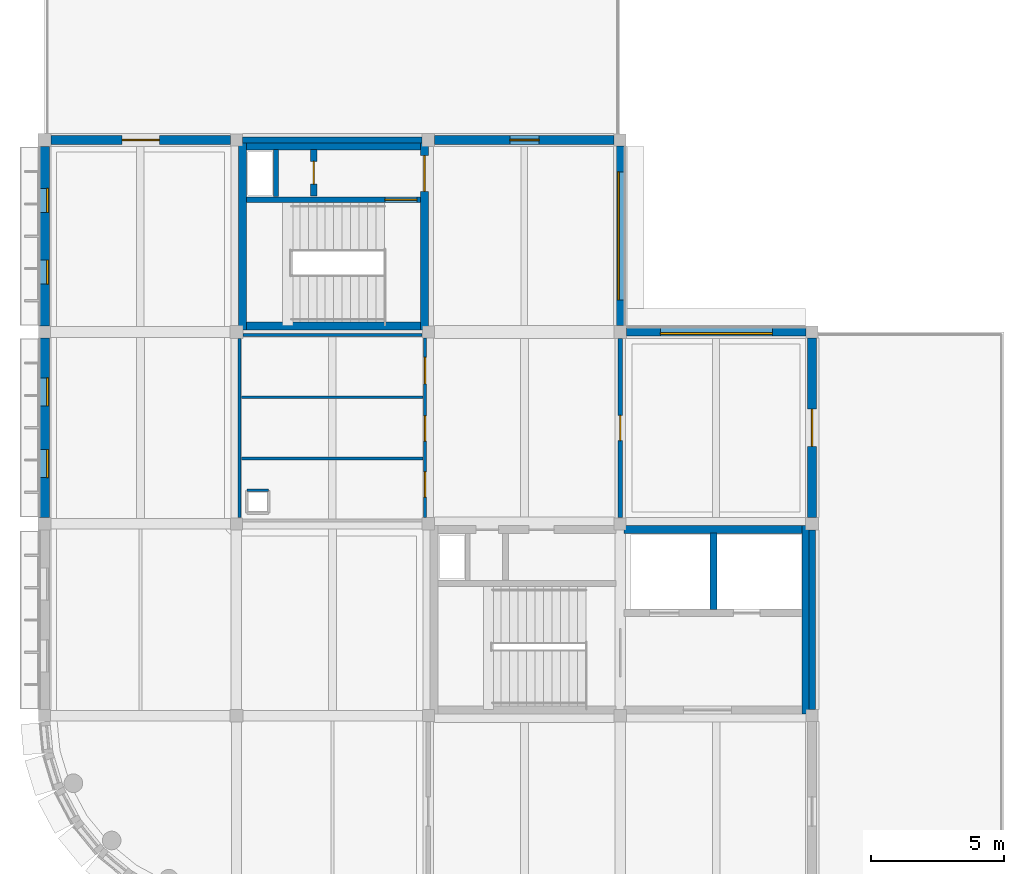
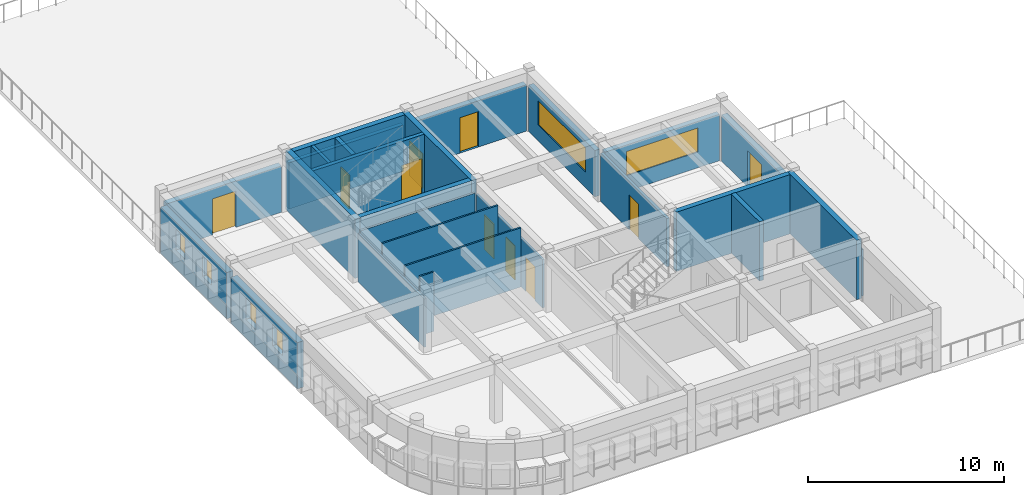
# One storey, part 4 of 7: 26 walls, 10 doors, 6 windows, 16 openings.
"""IFC4 building model written with IfcOpenShell, lengths in metres."""

import ifcopenshell
import ifcopenshell.guid

model = None  # the IFC model being written
_history = None  # IfcOwnerHistory: only IFC2X3 demands one
_inside = {}  # id of a spatial element -> (the spatial element, [elements in it])
_under = {}  # id of a project, library or spatial element -> (it, [spatial elements below it])
_declared = {}  # id of a project -> (the project, [libraries it declares])
_typed = {}  # id of a type object -> (the type object, [elements of that type])
_made_of = {}  # id of a material, layer set ... -> (it, [elements and type objects made of it])


def new_model(schema):
    """Start an empty IFC model of exactly this schema.

    Asked for "IFC4X3", IfcOpenShell would pick the latest addendum, in which some entities
    have other attributes; the version numbers below select the first issue.
    IFC2X3 requires an IfcOwnerHistory on every rooted entity: one is made here for all.
    """
    global model, _history
    if schema == "IFC4X3":
        model = ifcopenshell.file(schema_version=(4, 3, 0, 0))
    else:
        model = ifcopenshell.file(schema=schema)
    _inside.clear()
    _under.clear()
    _declared.clear()
    _typed.clear()
    _made_of.clear()
    _history = None
    if model.schema == "IFC2X3":
        org = make("IfcOrganization", Name="unknown")
        user = make(
            "IfcPersonAndOrganization",
            ThePerson=make("IfcPerson", FamilyName="unknown"),
            TheOrganization=org,
        )
        app = make(
            "IfcApplication",
            ApplicationDeveloper=org,
            Version="unknown",
            ApplicationFullName="unknown",
            ApplicationIdentifier="unknown",
        )
        _history = make(
            "IfcOwnerHistory",
            OwningUser=user,
            OwningApplication=app,
            ChangeAction="ADDED",
            CreationDate=0,
        )
    return model


def make(cls, **values):
    """One entity of the class cls with the attributes given. An attribute that is None is left unset."""
    return model.create_entity(
        cls, **{name: value for name, value in values.items() if value is not None}
    )


def rooted(cls, **values):
    """An entity with a GlobalId (a new one), such as an element, a storey or a relation."""
    return make(cls, GlobalId=ifcopenshell.guid.new(), OwnerHistory=_history, **values)


def si_unit(unit_type, name, prefix=None):
    """IfcSIUnit, for example si_unit("LENGTHUNIT", "METRE", prefix="MILLI")."""
    return make("IfcSIUnit", UnitType=unit_type, Prefix=prefix, Name=name)


def assignment(units):
    """IfcUnitAssignment: the units of a project."""
    return None if units is None else make("IfcUnitAssignment", Units=units)


def point(xyz):
    """IfcCartesianPoint."""
    return None if xyz is None else make("IfcCartesianPoint", Coordinates=xyz)


def direction(xyz):
    """IfcDirection."""
    return None if xyz is None else make("IfcDirection", DirectionRatios=xyz)


def frame(location, z_axis=None, x_axis=None):
    """IfcAxis2Placement3D, a coordinate frame: its origin and axes. An axis left out is left unset."""
    return make(
        "IfcAxis2Placement3D",
        Location=point(location),
        Axis=direction(z_axis),
        RefDirection=direction(x_axis),
    )


def frame_2d(location, x_axis=None):
    """IfcAxis2Placement2D, a coordinate frame in the plane: its origin and x axis."""
    return make(
        "IfcAxis2Placement2D", Location=point(location), RefDirection=direction(x_axis)
    )


def origin():
    """The frame at (0, 0, 0) with its axes left unset."""
    return frame((0.0, 0.0, 0.0))


def place(relative_to, where):
    """IfcLocalPlacement: puts the frame where relative to a parent placement (None: the world)."""
    return make(
        "IfcLocalPlacement", PlacementRelTo=relative_to, RelativePlacement=where
    )


def context(
    kind, dimensions, precision=None, world=None, true_north=None, identifier=None
):
    """IfcGeometricRepresentationContext, for example the 3D "Model" context."""
    return make(
        "IfcGeometricRepresentationContext",
        ContextIdentifier=identifier,
        ContextType=kind,
        CoordinateSpaceDimension=dimensions,
        Precision=precision,
        WorldCoordinateSystem=world,
        TrueNorth=true_north,
    )


def subcontext(parent, identifier, kind, view, scale=None):
    """IfcGeometricRepresentationSubContext, for example "Body" below "Model"."""
    return make(
        "IfcGeometricRepresentationSubContext",
        ContextIdentifier=identifier,
        ContextType=kind,
        ParentContext=parent,
        TargetScale=scale,
        TargetView=view,
    )


def project(units=None, contexts=None):
    """IfcProject with its units and contexts."""
    return rooted(
        "IfcProject",
        Name="project",
        RepresentationContexts=contexts,
        UnitsInContext=assignment(units),
    )


def spatial(cls, under=None, at=None, **own):
    """A site, building, storey or space (cls), placed at a placement, below another one or the project."""
    s = rooted(cls, ObjectPlacement=at, **own)
    if under is not None:
        _under.setdefault(under.id(), (under, []))[1].append(s)
    return s


def profile(cls, at=None, kind="AREA", **sizes):
    """A parametric profile (cls). Its sizes go by their IFC names, for example OverallWidth=200.0."""
    return make(cls, ProfileType=kind, Position=at, **sizes)


def rectangle(**sizes):
    """IfcRectangleProfileDef."""
    return profile("IfcRectangleProfileDef", **sizes)


def extrude(swept, where, along, depth):
    """IfcExtrudedAreaSolid: the profile swept, set in the frame where, extruded along a direction by depth."""
    return make(
        "IfcExtrudedAreaSolid",
        SweptArea=swept,
        Position=where,
        ExtrudedDirection=direction(along),
        Depth=depth,
    )


def shape(context_of_items, identifier, shape_type, items):
    """IfcShapeRepresentation: the items that make up one representation, for example the "Body"."""
    return make(
        "IfcShapeRepresentation",
        ContextOfItems=context_of_items,
        RepresentationIdentifier=identifier,
        RepresentationType=shape_type,
        Items=items,
    )


def material(Name=None, Category=None):
    """IfcMaterial."""
    return make("IfcMaterial", Name=Name, Category=Category)


def layer(
    of_material, thickness, ventilated=None, Name=None, Category=None, Priority=None
):
    """IfcMaterialLayer: one layer of a wall or slab, of a material (None: an air gap)."""
    return make(
        "IfcMaterialLayer",
        Material=of_material,
        LayerThickness=thickness,
        IsVentilated=ventilated,
        Name=Name,
        Category=Category,
        Priority=Priority,
    )


def layer_set(layers, Name=None):
    """IfcMaterialLayerSet."""
    return make("IfcMaterialLayerSet", MaterialLayers=layers, LayerSetName=Name)


def made_of(thing, what):
    """Note that an element or type object is made of a material, layer set ...; save() writes the relation."""
    if what is not None:
        _made_of.setdefault(what.id(), (what, []))[1].append(thing)
    return thing


def type_object(cls, material=None, **own):
    """A type object (cls), such as IfcWallType, which elements share."""
    return made_of(rooted(cls, **own), material)


def element(
    cls,
    number,
    at=None,
    inside=None,
    cuts=None,
    type_object=None,
    material=None,
    context=None,
    identifier="Body",
    shape_type=None,
    held_by="IfcProductDefinitionShape",
    body=None,
    shapes=None,
    **own,
):
    """One element of the class cls, such as IfcWall. Its Tag is "e" and its number.

    at: its placement. inside: the storey or other place that contains it. cuts: it is an
    opening in that element (IfcRelVoidsElement). A single representation is given by context,
    identifier, shape_type and body (its items); several are given by shapes. held_by: the class
    of the entity that holds the representations. save() writes the other relations.
    """
    e = rooted(cls, Tag="e%d" % number, ObjectPlacement=at, **own)
    if body is not None:
        shapes = [shape(context, identifier, shape_type, body)]
    if shapes is not None:
        e.Representation = make(held_by, Representations=shapes)
    if inside is not None:
        _inside.setdefault(inside.id(), (inside, []))[1].append(e)
    if cuts is not None:
        rooted(
            "IfcRelVoidsElement", RelatingBuildingElement=cuts, RelatedOpeningElement=e
        )
    if type_object is not None:
        _typed.setdefault(type_object.id(), (type_object, []))[1].append(e)
    return made_of(e, material)


def fill(opening, filler):
    """IfcRelFillsElement: the door or window that sits in an opening."""
    return rooted(
        "IfcRelFillsElement",
        RelatingOpeningElement=opening,
        RelatedBuildingElement=filler,
    )


def aggregate(whole, parts):
    """IfcRelAggregates: a whole, such as a stair, and the parts it consists of."""
    return rooted("IfcRelAggregates", RelatingObject=whole, RelatedObjects=parts)


def save(model, path):
    """Write the relations noted so far, then the file.

    IfcRelAggregates (storeys below a building ...), IfcRelContainedInSpatialStructure (elements
    in a storey), IfcRelDefinesByType, IfcRelAssociatesMaterial and IfcRelDeclares: one each for
    every whole, place, type object, material and project.
    """
    for whole, parts in _under.values():
        aggregate(whole, parts)
    for where, things in _inside.values():
        rooted(
            "IfcRelContainedInSpatialStructure",
            RelatedElements=things,
            RelatingStructure=where,
        )
    for kind, things in _typed.values():
        rooted("IfcRelDefinesByType", RelatedObjects=things, RelatingType=kind)
    for what, things in _made_of.values():
        rooted("IfcRelAssociatesMaterial", RelatedObjects=things, RelatingMaterial=what)
    for by, libraries in _declared.values():
        rooted("IfcRelDeclares", RelatingContext=by, RelatedDefinitions=libraries)
    model.write(path)


model = new_model("IFC4")

# Units and contexts
model_context = context("Model", 3, precision=1e-05, world=origin(), true_north=direction((0.0, 1.0)))
body_context = subcontext(model_context, "Body", "Model", "MODEL_VIEW")
ifc_project = project(units=[si_unit("LENGTHUNIT", "METRE"), si_unit("AREAUNIT", "SQUARE_METRE"), si_unit("VOLUMEUNIT", "CUBIC_METRE"), si_unit("PLANEANGLEUNIT", "RADIAN"), si_unit("MASSUNIT", "GRAM", prefix="KILO")], contexts=[model_context])

# Site, building, storey
site_placement = place(None, origin())
site = spatial("IfcSite", under=ifc_project, at=site_placement, CompositionType="ELEMENT")
building_placement = place(site_placement, origin())
building = spatial("IfcBuilding", under=site, at=building_placement, Name="Thalmaran Polytechnic", CompositionType="ELEMENT")
storey_placement = place(building_placement, frame((0.0, 0.0, 30.60009765625)))
storey = spatial("IfcBuildingStorey", under=building, at=storey_placement, Name="L07", CompositionType="ELEMENT", Elevation=30.60009765625)

# Wall, openings, windows
ifc_material_1 = material(Name="Precast concrete C40/50", Category="concrete")
ifc_layer_1 = layer(ifc_material_1, 0.360107421875, Name="Precast concrete C40/50")
ifc_layer_set_1 = layer_set([ifc_layer_1], Name="Precast concrete C40/50")
wall_type_1 = type_object("IfcWallType", Name="WL-EW01", PredefinedType="STANDARD", material=ifc_layer_set_1)
wall_1_placement = place(storey_placement, frame((0.0, 14.639892578125, 0.0), z_axis=(0.0, 0.0, 1.0), x_axis=(0.0, 1.0, 0.0)))
wall_1 = element("IfcWall", 1, at=wall_1_placement, inside=storey, type_object=wall_type_1, Name="Exterior Precast Facade Wall L07-007", PredefinedType="STANDARD", context=body_context, shape_type="SweptSolid", body=[
    extrude(rectangle(XDim=6.735107421875, YDim=0.360107421875, at=frame_2d((3.36767578125, 0.0))), origin(), (0.0, 0.0, 1.0), 2.8798828125),
])
opening_1_placement = place(wall_1_placement, frame((1.49560546875, 0.0, 1.14990234375)))
opening_1 = element("IfcOpeningElement", 2, at=opening_1_placement, cuts=wall_1, Name="Opening PW12", PredefinedType="OPENING", context=body_context, shape_type="SweptSolid", body=[
    extrude(rectangle(XDim=1.050048828125, YDim=1.35009765625, at=frame_2d((0.52490234375, 0.675048828125))), frame((0.0, 0.18994140625, 0.0), z_axis=(0.0, -1.0, 0.0), x_axis=(1.0, 0.0, 0.0)), (0.0, 0.0, 1.0), 0.380126953125),
])
opening_2_placement = place(wall_1_placement, frame((4.189453125, 0.0, 1.14990234375)))
opening_2 = element("IfcOpeningElement", 3, at=opening_2_placement, cuts=wall_1, Name="Opening PW12", PredefinedType="OPENING", context=body_context, shape_type="SweptSolid", body=[
    extrude(rectangle(XDim=1.050048828125, YDim=1.35009765625, at=frame_2d((0.52490234375, 0.675048828125))), frame((0.0, 0.18994140625, 0.0), z_axis=(0.0, -1.0, 0.0), x_axis=(1.0, 0.0, 0.0)), (0.0, 0.0, 1.0), 0.380126953125),
])
ifc_material_2 = material(Name="Thermally broken aluminium and double low-E glass", Category="aluminium")
window_type_1 = type_object("IfcWindowType", Name="WN-PW02", PartitioningType="SINGLE_PANEL", PredefinedType="WINDOW", material=ifc_material_2)
window_1_placement = place(opening_1_placement, origin())
window_1 = element("IfcWindow", 4, at=window_1_placement, inside=storey, type_object=window_type_1, Name="Deep-Set Solar-Screened Window W-0771", OverallHeight=1.35009765625, OverallWidth=1.050048828125, PartitioningType="SINGLE_PANEL", PredefinedType="WINDOW", context=body_context, shape_type="SweptSolid", body=[
    extrude(rectangle(XDim=1.050048828125, YDim=1.35009765625, at=frame_2d((0.52490234375, 0.675048828125))), frame((0.0, -0.080078125, 0.0), z_axis=(0.0, -1.0, 0.0), x_axis=(1.0, 0.0, 0.0)), (0.0, 0.0, 1.0), 0.06005859375),
])
fill(opening_1, window_1)
window_2_placement = place(opening_2_placement, origin())
window_2 = element("IfcWindow", 5, at=window_2_placement, inside=storey, type_object=window_type_1, Name="Deep-Set Solar-Screened Window W-0772", OverallHeight=1.35009765625, OverallWidth=1.050048828125, PartitioningType="SINGLE_PANEL", PredefinedType="WINDOW", context=body_context, shape_type="SweptSolid", body=[
    extrude(rectangle(XDim=1.050048828125, YDim=1.35009765625, at=frame_2d((0.52490234375, 0.675048828125))), frame((0.0, -0.080078125, 0.0), z_axis=(0.0, -1.0, 0.0), x_axis=(1.0, 0.0, 0.0)), (0.0, 0.0, 1.0), 0.06005859375),
])
fill(opening_2, window_2)

wall_2_placement = place(storey_placement, frame((0.0, 21.824951171875, 0.0), z_axis=(0.0, 0.0, 1.0), x_axis=(0.0, 1.0, 0.0)))
wall_2 = element("IfcWall", 6, at=wall_2_placement, inside=storey, type_object=wall_type_1, Name="Exterior Precast Facade Wall L07-008", PredefinedType="STANDARD", context=body_context, shape_type="SweptSolid", body=[
    extrude(rectangle(XDim=6.735107421875, YDim=0.360107421875, at=frame_2d((3.36767578125, 0.0))), origin(), (0.0, 0.0, 1.0), 2.8798828125),
])
opening_3_placement = place(wall_2_placement, frame((1.570556640625, 0.0, 1.14990234375)))
opening_3 = element("IfcOpeningElement", 7, at=opening_3_placement, cuts=wall_2, Name="Opening PW13", PredefinedType="OPENING", context=body_context, shape_type="SweptSolid", body=[
    extrude(rectangle(XDim=0.89990234375, YDim=1.300048828125, at=frame_2d((0.449951171875, 0.64990234375))), frame((0.0, 0.18994140625, 0.0), z_axis=(0.0, -1.0, 0.0), x_axis=(1.0, 0.0, 0.0)), (0.0, 0.0, 1.0), 0.380126953125),
])
opening_4_placement = place(wall_2_placement, frame((4.264404296875, 0.0, 1.14990234375)))
opening_4 = element("IfcOpeningElement", 8, at=opening_4_placement, cuts=wall_2, Name="Opening PW13", PredefinedType="OPENING", context=body_context, shape_type="SweptSolid", body=[
    extrude(rectangle(XDim=0.89990234375, YDim=1.300048828125, at=frame_2d((0.449951171875, 0.64990234375))), frame((0.0, 0.18994140625, 0.0), z_axis=(0.0, -1.0, 0.0), x_axis=(1.0, 0.0, 0.0)), (0.0, 0.0, 1.0), 0.380126953125),
])
window_type_2 = type_object("IfcWindowType", Name="WN-PW03", PartitioningType="SINGLE_PANEL", PredefinedType="WINDOW", material=ifc_material_2)
window_3_placement = place(opening_3_placement, origin())
window_3 = element("IfcWindow", 9, at=window_3_placement, inside=storey, type_object=window_type_2, Name="Deep-Set Solar-Screened Window W-0773", OverallHeight=1.300048828125, OverallWidth=0.89990234375, PartitioningType="SINGLE_PANEL", PredefinedType="WINDOW", context=body_context, shape_type="SweptSolid", body=[
    extrude(rectangle(XDim=0.89990234375, YDim=1.300048828125, at=frame_2d((0.449951171875, 0.64990234375))), frame((0.0, -0.080078125, 0.0), z_axis=(0.0, -1.0, 0.0), x_axis=(1.0, 0.0, 0.0)), (0.0, 0.0, 1.0), 0.06005859375),
])
fill(opening_3, window_3)
window_4_placement = place(opening_4_placement, origin())
window_4 = element("IfcWindow", 10, at=window_4_placement, inside=storey, type_object=window_type_2, Name="Deep-Set Solar-Screened Window W-0774", OverallHeight=1.300048828125, OverallWidth=0.89990234375, PartitioningType="SINGLE_PANEL", PredefinedType="WINDOW", context=body_context, shape_type="SweptSolid", body=[
    extrude(rectangle(XDim=0.89990234375, YDim=1.300048828125, at=frame_2d((0.449951171875, 0.64990234375))), frame((0.0, -0.080078125, 0.0), z_axis=(0.0, -1.0, 0.0), x_axis=(1.0, 0.0, 0.0)), (0.0, 0.0, 1.0), 0.06005859375),
])
fill(opening_4, window_4)

# Wall, opening, door
ifc_layer_2 = layer(ifc_material_1, 0.330078125, Name="Precast concrete C40/50")
ifc_layer_set_2 = layer_set([ifc_layer_2], Name="Precast concrete C40/50")
wall_type_2 = type_object("IfcWallType", Name="WL-EW02", PredefinedType="STANDARD", material=ifc_layer_set_2)
wall_3_placement = place(storey_placement, frame((0.239990234375, 28.800048828125, 0.0), z_axis=(0.0, 0.0, 1.0), x_axis=(1.0, 0.0, 0.0)))
wall_3 = element("IfcWall", 11, at=wall_3_placement, inside=storey, type_object=wall_type_2, Name="Terrace Access Wall L07-009", PredefinedType="STANDARD", context=body_context, shape_type="SweptSolid", body=[
    extrude(rectangle(XDim=6.735107421875, YDim=0.330078125, at=frame_2d((3.36767578125, 0.0))), origin(), (0.0, 0.0, 1.0), 2.8798828125),
])
opening_5_placement = place(wall_3_placement, frame((2.66748046875, 0.0, 0.0)))
opening_5 = element("IfcOpeningElement", 12, at=opening_5_placement, cuts=wall_3, Name="Opening TD-021", PredefinedType="OPENING", context=body_context, shape_type="SweptSolid", body=[
    extrude(rectangle(XDim=1.39990234375, YDim=2.25, at=frame_2d((0.699951171875, 1.125))), frame((0.0, 0.175048828125, 0.0), z_axis=(0.0, -1.0, 0.0), x_axis=(1.0, 0.0, 0.0)), (0.0, 0.0, 1.0), 0.35009765625),
])
ifc_material_3 = material(Name="Anodised aluminium and safety glass", Category="aluminium")
door_type_1 = type_object("IfcDoorType", Name="DR-TD01", OperationType="NOTDEFINED", PredefinedType="DOOR", material=ifc_material_3)
door_1_placement = place(opening_5_placement, origin())
door_1 = element("IfcDoor", 13, at=door_1_placement, inside=storey, type_object=door_type_1, Name="Terrace Access Door TD-021", OperationType="SINGLE_SWING_LEFT", OverallHeight=2.25, OverallWidth=1.39990234375, PredefinedType="DOOR", context=body_context, shape_type="SweptSolid", body=[
    extrude(rectangle(XDim=1.39990234375, YDim=2.25, at=frame_2d((0.699951171875, 1.125))), frame((0.0, 0.02490234375, 0.0), z_axis=(0.0, -1.0, 0.0), x_axis=(1.0, 0.0, 0.0)), (0.0, 0.0, 1.0), 0.050048828125),
])
fill(opening_5, door_1)

wall_4_placement = place(storey_placement, frame((14.639892578125, 28.800048828125, 0.0), z_axis=(0.0, 0.0, 1.0), x_axis=(1.0, 0.0, 0.0)))
wall_4 = element("IfcWall", 14, at=wall_4_placement, inside=storey, type_object=wall_type_2, Name="Terrace Access Wall L07-011", PredefinedType="STANDARD", context=body_context, shape_type="SweptSolid", body=[
    extrude(rectangle(XDim=6.735107421875, YDim=0.330078125, at=frame_2d((3.36767578125, 0.0))), origin(), (0.0, 0.0, 1.0), 2.8798828125),
])
opening_6_placement = place(wall_4_placement, frame((2.8173828125, 0.0, 0.0)))
opening_6 = element("IfcOpeningElement", 15, at=opening_6_placement, cuts=wall_4, Name="Opening TD-022", PredefinedType="OPENING", context=body_context, shape_type="SweptSolid", body=[
    extrude(rectangle(XDim=1.10009765625, YDim=2.199951171875, at=frame_2d((0.550048828125, 1.10009765625))), frame((0.0, 0.175048828125, 0.0), z_axis=(0.0, -1.0, 0.0), x_axis=(1.0, 0.0, 0.0)), (0.0, 0.0, 1.0), 0.35009765625),
])
door_type_2 = type_object("IfcDoorType", Name="DR-TD02", OperationType="NOTDEFINED", PredefinedType="DOOR", material=ifc_material_3)
door_2_placement = place(opening_6_placement, origin())
door_2 = element("IfcDoor", 16, at=door_2_placement, inside=storey, type_object=door_type_2, Name="Terrace Access Door TD-022", OperationType="SINGLE_SWING_RIGHT", OverallHeight=2.199951171875, OverallWidth=1.10009765625, PredefinedType="DOOR", context=body_context, shape_type="SweptSolid", body=[
    extrude(rectangle(XDim=1.10009765625, YDim=2.199951171875, at=frame_2d((0.550048828125, 1.10009765625))), frame((0.0, 0.02490234375, 0.0), z_axis=(0.0, -1.0, 0.0), x_axis=(1.0, 0.0, 0.0)), (0.0, 0.0, 1.0), 0.050048828125),
])
fill(opening_6, door_2)

wall_5_placement = place(storey_placement, frame((28.800048828125, 21.375, 0.0), z_axis=(0.0, 0.0, 1.0), x_axis=(0.0, -1.0, 0.0)))
wall_5 = element("IfcWall", 17, at=wall_5_placement, inside=storey, type_object=wall_type_2, Name="Terrace Access Wall L07-014", PredefinedType="STANDARD", context=body_context, shape_type="SweptSolid", body=[
    extrude(rectangle(XDim=6.735107421875, YDim=0.330078125, at=frame_2d((3.36767578125, 0.0))), origin(), (0.0, 0.0, 1.0), 2.8798828125),
])
opening_7_placement = place(wall_5_placement, frame((2.66748046875, 0.0, 0.0)))
opening_7 = element("IfcOpeningElement", 18, at=opening_7_placement, cuts=wall_5, Name="Opening TD-023", PredefinedType="OPENING", context=body_context, shape_type="SweptSolid", body=[
    extrude(rectangle(XDim=1.39990234375, YDim=2.25, at=frame_2d((0.699951171875, 1.125))), frame((0.0, 0.175048828125, 0.0), z_axis=(0.0, -1.0, 0.0), x_axis=(1.0, 0.0, 0.0)), (0.0, 0.0, 1.0), 0.35009765625),
])
door_3_placement = place(opening_7_placement, origin())
door_3 = element("IfcDoor", 19, at=door_3_placement, inside=storey, type_object=door_type_1, Name="Terrace Access Door TD-023", OperationType="SINGLE_SWING_LEFT", OverallHeight=2.25, OverallWidth=1.39990234375, PredefinedType="DOOR", context=body_context, shape_type="SweptSolid", body=[
    extrude(rectangle(XDim=1.39990234375, YDim=2.25, at=frame_2d((0.699951171875, 1.125))), frame((0.0, 0.02490234375, 0.0), z_axis=(0.0, -1.0, 0.0), x_axis=(1.0, 0.0, 0.0)), (0.0, 0.0, 1.0), 0.050048828125),
])
fill(opening_7, door_3)

# Wall, opening, window
ifc_layer_3 = layer(ifc_material_1, 0.2900390625, Name="Precast concrete C40/50")
ifc_layer_set_3 = layer_set([ifc_layer_3], Name="Precast concrete C40/50")
wall_type_3 = type_object("IfcWallType", Name="WL-EW04", PredefinedType="STANDARD", material=ifc_layer_set_3)
wall_6_placement = place(storey_placement, frame((21.60009765625, 28.574951171875, 0.0), z_axis=(0.0, 0.0, 1.0), x_axis=(0.0, -1.0, 0.0)))
wall_6 = element("IfcWall", 20, at=wall_6_placement, inside=storey, type_object=wall_type_3, Name="Exterior Precast Facade Wall L07-012", PredefinedType="STANDARD", context=body_context, shape_type="SweptSolid", body=[
    extrude(rectangle(XDim=6.73486328125, YDim=0.2900390625, at=frame_2d((3.367431640625, 0.0))), origin(), (0.0, 0.0, 1.0), 2.8798828125),
])
opening_8_placement = place(wall_6_placement, frame((0.967529296875, 0.0, 0.97998046875)))
opening_8 = element("IfcOpeningElement", 21, at=opening_8_placement, cuts=wall_6, Name="Opening RW01", PredefinedType="OPENING", context=body_context, shape_type="SweptSolid", body=[
    extrude(rectangle(XDim=4.800048828125, YDim=1.5, at=frame_2d((2.39990234375, 0.75))), frame((0.0, 0.155029296875, 0.0), z_axis=(0.0, -1.0, 0.0), x_axis=(1.0, 0.0, 0.0)), (0.0, 0.0, 1.0), 0.31005859375),
])
window_type_3 = type_object("IfcWindowType", Name="WN-RW01", PartitioningType="TRIPLE_PANEL_HORIZONTAL", PredefinedType="WINDOW", material=ifc_material_2)
window_5_placement = place(opening_8_placement, origin())
window_5 = element("IfcWindow", 22, at=window_5_placement, inside=storey, type_object=window_type_3, Name="Streamline Ribbon Window W-0775", OverallHeight=1.5, OverallWidth=4.800048828125, PartitioningType="SINGLE_PANEL", PredefinedType="WINDOW", context=body_context, shape_type="SweptSolid", body=[
    extrude(rectangle(XDim=4.800048828125, YDim=1.5, at=frame_2d((2.39990234375, 0.75))), frame((0.0, -0.030029296875, 0.0), z_axis=(0.0, -1.0, 0.0), x_axis=(1.0, 0.0, 0.0)), (0.0, 0.0, 1.0), 0.06005859375),
])
fill(opening_8, window_5)

wall_7_placement = place(storey_placement, frame((21.840087890625, 21.60009765625, 0.0), z_axis=(0.0, 0.0, 1.0), x_axis=(1.0, 0.0, 0.0)))
wall_7 = element("IfcWall", 23, at=wall_7_placement, inside=storey, type_object=wall_type_3, Name="Exterior Precast Facade Wall L07-013", PredefinedType="STANDARD", context=body_context, shape_type="SweptSolid", body=[
    extrude(rectangle(XDim=6.73486328125, YDim=0.2900390625, at=frame_2d((3.367431640625, 0.0))), origin(), (0.0, 0.0, 1.0), 2.8798828125),
])
opening_9_placement = place(wall_7_placement, frame((1.267578125, 0.0, 0.97998046875)))
opening_9 = element("IfcOpeningElement", 24, at=opening_9_placement, cuts=wall_7, Name="Opening RW02", PredefinedType="OPENING", context=body_context, shape_type="SweptSolid", body=[
    extrude(rectangle(XDim=4.199951171875, YDim=1.5, at=frame_2d((2.10009765625, 0.75))), frame((0.0, 0.155029296875, 0.0), z_axis=(0.0, -1.0, 0.0), x_axis=(1.0, 0.0, 0.0)), (0.0, 0.0, 1.0), 0.31005859375),
])
window_type_4 = type_object("IfcWindowType", Name="WN-RW02", PartitioningType="TRIPLE_PANEL_HORIZONTAL", PredefinedType="WINDOW", material=ifc_material_2)
window_6_placement = place(opening_9_placement, origin())
window_6 = element("IfcWindow", 25, at=window_6_placement, inside=storey, type_object=window_type_4, Name="Streamline Ribbon Window W-0776", OverallHeight=1.5, OverallWidth=4.199951171875, PartitioningType="SINGLE_PANEL", PredefinedType="WINDOW", context=body_context, shape_type="SweptSolid", body=[
    extrude(rectangle(XDim=4.199951171875, YDim=1.5, at=frame_2d((2.10009765625, 0.75))), frame((0.0, -0.030029296875, 0.0), z_axis=(0.0, -1.0, 0.0), x_axis=(1.0, 0.0, 0.0)), (0.0, 0.0, 1.0), 0.06005859375),
])
fill(opening_9, window_6)

# Walls
ifc_material_4 = material(Name="Translucent architectural glass block", Category="glass")
ifc_layer_4 = layer(ifc_material_4, 0.239990234375, Name="Translucent architectural glass block")
ifc_layer_set_4 = layer_set([ifc_layer_4], Name="Translucent architectural glass block")
wall_type_4 = type_object("IfcWallType", Name="WL-GB01", PredefinedType="STANDARD", material=ifc_layer_set_4)
for number, where, z_axis, x_axis, name in (
    (26, (7.425048828125, 28.800048828125, 0.0), (0.0, 0.0, 1.0), (1.0, 0.0, 0.0), "Streamline Glass-Block Stair Strip L07-010"),
    (27, (28.800048828125, 14.159912109375, 0.0), (0.0, 0.0, 1.0), (0.0, -1.0, 0.0), "Streamline Glass-Block Stair Strip L07-015"),
):
    element("IfcWall", number, at=place(storey_placement, frame(where, z_axis=z_axis, x_axis=x_axis)), inside=storey, type_object=wall_type_4, Name=name, PredefinedType="STANDARD", context=body_context, shape_type="SweptSolid", body=[
        extrude(rectangle(XDim=6.73486328125, YDim=0.239990234375, at=frame_2d((3.367431640625, 0.0))), origin(), (0.0, 0.0, 1.0), 2.8798828125),
    ])
ifc_material_5 = material(Name="Autoclaved aerated masonry", Category="masonry")
ifc_layer_5 = layer(ifc_material_5, 0.25, Name="Autoclaved aerated masonry")
ifc_layer_set_5 = layer_set([ifc_layer_5], Name="Autoclaved aerated masonry")
wall_type_5 = type_object("IfcWallType", Name="WL-IW01", PredefinedType="PARTITIONING", material=ifc_layer_set_5)
wall_8_placement = place(storey_placement, frame((25.10009765625, 11.179931640625, 0.0), z_axis=(0.0, 0.0, 1.0), x_axis=(0.0, 1.0, 0.0)))
element("IfcWall", 28, at=wall_8_placement, inside=storey, type_object=wall_type_5, Name="Core C1 Shaft Dividing Wall L07", PredefinedType="PARTITIONING", context=body_context, shape_type="SweptSolid", body=[
    extrude(rectangle(XDim=2.8701171875, YDim=0.25, at=frame_2d((1.43505859375, 0.0))), origin(), (0.0, 0.0, 1.0), 3.684814453125),
])

# Wall, opening, door
ifc_layer_6 = layer(ifc_material_5, 0.22998046875, Name="Autoclaved aerated masonry")
ifc_layer_set_6 = layer_set([ifc_layer_6], Name="Autoclaved aerated masonry")
wall_type_6 = type_object("IfcWallType", Name="WL-IW02", PredefinedType="PARTITIONING", material=ifc_layer_set_6)
wall_9_placement = place(storey_placement, frame((10.10009765625, 26.699951171875, 0.0), z_axis=(0.0, 0.0, 1.0), x_axis=(0.0, 1.0, 0.0)))
wall_9 = element("IfcWall", 29, at=wall_9_placement, inside=storey, type_object=wall_type_6, Name="Core C3 Riser Partition L07", PredefinedType="PARTITIONING", context=body_context, shape_type="SweptSolid", body=[
    extrude(rectangle(XDim=1.739990234375, YDim=0.22998046875, at=frame_2d((0.8701171875, 0.0))), origin(), (0.0, 0.0, 1.0), 3.684814453125),
])
opening_10_placement = place(wall_9_placement, frame((0.449951171875, 0.0, 0.0)))
opening_10 = element("IfcOpeningElement", 30, at=opening_10_placement, cuts=wall_9, Name="Opening DR-C3-L07-R", PredefinedType="OPENING", context=body_context, shape_type="SweptSolid", body=[
    extrude(rectangle(XDim=0.85009765625, YDim=2.10009765625, at=frame_2d((0.425048828125, 1.050048828125))), frame((0.0, 0.125, 0.0), z_axis=(0.0, -1.0, 0.0), x_axis=(1.0, 0.0, 0.0)), (0.0, 0.0, 1.0), 0.25),
])
ifc_material_6 = material(Name="Powder-coated fire-rated steel", Category="steel")
door_type_3 = type_object("IfcDoorType", Name="DR-FD09", OperationType="NOTDEFINED", PredefinedType="DOOR", material=ifc_material_6)
door_4_placement = place(opening_10_placement, origin())
door_4 = element("IfcDoor", 31, at=door_4_placement, inside=storey, type_object=door_type_3, Name="Riser Access Fire Door C3 L07", OperationType="SINGLE_SWING_RIGHT", OverallHeight=2.10009765625, OverallWidth=0.85009765625, PredefinedType="DOOR", context=body_context, shape_type="SweptSolid", body=[
    extrude(rectangle(XDim=0.85009765625, YDim=2.10009765625, at=frame_2d((0.425048828125, 1.050048828125))), frame((0.0, 0.02490234375, 0.0), z_axis=(0.0, -1.0, 0.0), x_axis=(1.0, 0.0, 0.0)), (0.0, 0.0, 1.0), 0.050048828125),
])
fill(opening_10, door_4)

# Wall
ifc_layer_7 = layer(ifc_material_5, 0.179931640625, Name="Autoclaved aerated masonry")
ifc_layer_set_7 = layer_set([ifc_layer_7], Name="Autoclaved aerated masonry")
wall_type_7 = type_object("IfcWallType", Name="WL-IW04", PredefinedType="PARTITIONING", material=ifc_layer_set_7)
wall_10_placement = place(storey_placement, frame((8.679931640625, 26.679931640625, 0.0), z_axis=(0.0, 0.0, 1.0), x_axis=(0.0, 1.0, 0.0)))
element("IfcWall", 32, at=wall_10_placement, inside=storey, type_object=wall_type_7, Name="Core C3 Riser Shaft Enclosure Wall L07", PredefinedType="PARTITIONING", context=body_context, shape_type="SweptSolid", body=[
    extrude(rectangle(XDim=1.760009765625, YDim=0.179931640625, at=frame_2d((0.8798828125, 0.0))), origin(), (0.0, 0.0, 1.0), 3.684814453125),
])

# Wall, opening, door
ifc_material_7 = material(Name="Gypsum acoustic partition")
ifc_layer_8 = layer(ifc_material_7, 0.159912109375, Name="Gypsum acoustic partition")
ifc_layer_set_8 = layer_set([ifc_layer_8], Name="Gypsum acoustic partition")
wall_type_8 = type_object("IfcWallType", Name="WL-IW05", PredefinedType="PARTITIONING", material=ifc_layer_set_8)
wall_11_placement = place(storey_placement, frame((21.60009765625, 14.6298828125, 0.0), z_axis=(0.0, 0.0, 1.0), x_axis=(0.0, 1.0, 0.0)))
wall_11 = element("IfcWall", 33, at=wall_11_placement, inside=storey, type_object=wall_type_8, Name="Interior Partition IW05 L07-002", PredefinedType="PARTITIONING", context=body_context, shape_type="SweptSolid", body=[
    extrude(rectangle(XDim=6.72509765625, YDim=0.159912109375, at=frame_2d((3.362548828125, 0.0))), origin(), (0.0, 0.0, 1.0), 3.0),
])
opening_11_placement = place(wall_11_placement, frame((2.887451171875, 0.0, 0.0)))
opening_11 = element("IfcOpeningElement", 34, at=opening_11_placement, cuts=wall_11, Name="Opening D-L07-002-1-02-1", PredefinedType="OPENING", context=body_context, shape_type="SweptSolid", body=[
    extrude(rectangle(XDim=0.949951171875, YDim=2.14990234375, at=frame_2d((0.47509765625, 1.074951171875))), frame((0.0, 0.08984375, 0.0), z_axis=(0.0, -1.0, 0.0), x_axis=(1.0, 0.0, 0.0)), (0.0, 0.0, 1.0), 0.179931640625),
])
door_type_4 = type_object("IfcDoorType", Name="DR-FD08", OperationType="NOTDEFINED", PredefinedType="DOOR", material=ifc_material_6)
door_5_placement = place(opening_11_placement, origin())
door_5 = element("IfcDoor", 35, at=door_5_placement, inside=storey, type_object=door_type_4, Name="Fluid Mechanics Laboratory L07-02 Door 1", OperationType="SINGLE_SWING_LEFT", OverallHeight=2.14990234375, OverallWidth=0.949951171875, PredefinedType="DOOR", context=body_context, shape_type="SweptSolid", body=[
    extrude(rectangle(XDim=0.949951171875, YDim=2.14990234375, at=frame_2d((0.47509765625, 1.074951171875))), frame((0.0, 0.02490234375, 0.0), z_axis=(0.0, -1.0, 0.0), x_axis=(1.0, 0.0, 0.0)), (0.0, 0.0, 1.0), 0.050048828125),
])
fill(opening_11, door_5)

# Walls
ifc_layer_9 = layer(ifc_material_7, 0.114990234375, Name="Gypsum acoustic partition")
ifc_layer_set_9 = layer_set([ifc_layer_9], Name="Gypsum acoustic partition")
wall_type_9 = type_object("IfcWallType", Name="WL-IW08", PredefinedType="PARTITIONING", material=ifc_layer_set_9)
wall_12_placement = place(storey_placement, frame((7.445068359375, 21.47998046875, 0.0), z_axis=(0.0, 0.0, 1.0), x_axis=(1.0, 0.0, 0.0)))
element("IfcWall", 36, at=wall_12_placement, inside=storey, type_object=wall_type_9, Name="Sanitary Core Wall L07-W1-N", PredefinedType="PARTITIONING", context=body_context, shape_type="SweptSolid", body=[
    extrude(rectangle(XDim=6.724853515625, YDim=0.114990234375, at=frame_2d((3.3623046875, 0.0))), origin(), (0.0, 0.0, 1.0), 3.044921875),
])
wall_13_placement = place(storey_placement, frame((7.320068359375, 14.6298828125, 0.0), z_axis=(0.0, 0.0, 1.0), x_axis=(0.0, 1.0, 0.0)))
element("IfcWall", 37, at=wall_13_placement, inside=storey, type_object=wall_type_9, Name="Sanitary Side Wall L07-W1-W", PredefinedType="PARTITIONING", context=body_context, shape_type="SweptSolid", body=[
    extrude(rectangle(XDim=6.72509765625, YDim=0.114990234375, at=frame_2d((3.362548828125, 0.0))), origin(), (0.0, 0.0, 1.0), 3.0),
])

# Wall, openings, doors
wall_14_placement = place(storey_placement, frame((14.280029296875, 14.64501953125, 0.0), z_axis=(0.0, 0.0, 1.0), x_axis=(0.0, 1.0, 0.0)))
wall_14 = element("IfcWall", 38, at=wall_14_placement, inside=storey, type_object=wall_type_9, Name="Sanitary Side Wall L07-W1-E", PredefinedType="PARTITIONING", context=body_context, shape_type="SweptSolid", body=[
    extrude(rectangle(XDim=6.72509765625, YDim=0.114990234375, at=frame_2d((3.362548828125, 0.0))), origin(), (0.0, 0.0, 1.0), 3.0),
])
opening_12_placement = place(wall_14_placement, frame((0.7548828125, 0.0, 0.0)))
opening_12 = element("IfcOpeningElement", 39, at=opening_12_placement, cuts=wall_14, Name="Opening WD-L07-W1-1", PredefinedType="OPENING", context=body_context, shape_type="SweptSolid", body=[
    extrude(rectangle(XDim=0.949951171875, YDim=2.10009765625, at=frame_2d((0.47509765625, 1.050048828125))), frame((0.0, 0.0673828125, 0.0), z_axis=(0.0, -1.0, 0.0), x_axis=(1.0, 0.0, 0.0)), (0.0, 0.0, 1.0), 0.135009765625),
])
opening_13_placement = place(wall_14_placement, frame((2.85498046875, 0.0, 0.0)))
opening_13 = element("IfcOpeningElement", 40, at=opening_13_placement, cuts=wall_14, Name="Opening WD-L07-W1-2", PredefinedType="OPENING", context=body_context, shape_type="SweptSolid", body=[
    extrude(rectangle(XDim=0.949951171875, YDim=2.10009765625, at=frame_2d((0.47509765625, 1.050048828125))), frame((0.0, 0.0673828125, 0.0), z_axis=(0.0, -1.0, 0.0), x_axis=(1.0, 0.0, 0.0)), (0.0, 0.0, 1.0), 0.135009765625),
])
opening_14_placement = place(wall_14_placement, frame((5.0048828125, 0.0, 0.0)))
opening_14 = element("IfcOpeningElement", 41, at=opening_14_placement, cuts=wall_14, Name="Opening WD-L07-W1-3", PredefinedType="OPENING", context=body_context, shape_type="SweptSolid", body=[
    extrude(rectangle(XDim=1.0, YDim=2.14990234375, at=frame_2d((0.5, 1.074951171875))), frame((0.0, 0.0673828125, 0.0), z_axis=(0.0, -1.0, 0.0), x_axis=(1.0, 0.0, 0.0)), (0.0, 0.0, 1.0), 0.135009765625),
])
ifc_material_8 = material(Name="Acoustic hardwood", Category="wood")
door_type_5 = type_object("IfcDoorType", Name="DR-ID06", OperationType="NOTDEFINED", PredefinedType="DOOR", material=ifc_material_8)
door_6_placement = place(opening_14_placement, origin())
door_6 = element("IfcDoor", 42, at=door_6_placement, inside=storey, type_object=door_type_5, Name="Accessible WC Door L07-W1", OperationType="SINGLE_SWING_LEFT", OverallHeight=2.14990234375, OverallWidth=1.0, PredefinedType="DOOR", context=body_context, shape_type="SweptSolid", body=[
    extrude(rectangle(XDim=1.0, YDim=2.14990234375, at=frame_2d((0.5, 1.074951171875))), frame((0.0, 0.02490234375, 0.0), z_axis=(0.0, -1.0, 0.0), x_axis=(1.0, 0.0, 0.0)), (0.0, 0.0, 1.0), 0.050048828125),
])
fill(opening_14, door_6)
ifc_material_9 = material(Name="Moisture-resistant laminate timber", Category="wood")
door_type_6 = type_object("IfcDoorType", Name="DR-ID07", OperationType="NOTDEFINED", PredefinedType="DOOR", material=ifc_material_9)
door_7_placement = place(opening_12_placement, origin())
door_7 = element("IfcDoor", 43, at=door_7_placement, inside=storey, type_object=door_type_6, Name="Male WC Door L07-W1", OperationType="SINGLE_SWING_LEFT", OverallHeight=2.10009765625, OverallWidth=0.949951171875, PredefinedType="DOOR", context=body_context, shape_type="SweptSolid", body=[
    extrude(rectangle(XDim=0.949951171875, YDim=2.10009765625, at=frame_2d((0.47509765625, 1.050048828125))), frame((0.0, 0.02490234375, 0.0), z_axis=(0.0, -1.0, 0.0), x_axis=(1.0, 0.0, 0.0)), (0.0, 0.0, 1.0), 0.050048828125),
])
fill(opening_12, door_7)
door_8_placement = place(opening_13_placement, origin())
door_8 = element("IfcDoor", 44, at=door_8_placement, inside=storey, type_object=door_type_6, Name="Female WC Door L07-W1", OperationType="SINGLE_SWING_RIGHT", OverallHeight=2.10009765625, OverallWidth=0.949951171875, PredefinedType="DOOR", context=body_context, shape_type="SweptSolid", body=[
    extrude(rectangle(XDim=0.949951171875, YDim=2.10009765625, at=frame_2d((0.47509765625, 1.050048828125))), frame((0.0, 0.02490234375, 0.0), z_axis=(0.0, -1.0, 0.0), x_axis=(1.0, 0.0, 0.0)), (0.0, 0.0, 1.0), 0.050048828125),
])
fill(opening_13, door_8)

# Walls
ifc_material_10 = material(Name="Moisture-resistant partition")
ifc_layer_10 = layer(ifc_material_10, 0.10009765625, Name="Moisture-resistant partition")
ifc_layer_set_10 = layer_set([ifc_layer_10], Name="Moisture-resistant partition")
wall_type_10 = type_object("IfcWallType", Name="WL-IW09", PredefinedType="PARTITIONING", material=ifc_layer_set_10)
for number, where, z_axis, x_axis, name in (
    (45, (7.39990234375, 16.85009765625, 0.0), (0.0, 0.0, 1.0), (1.0, 0.0, 0.0), "WC Partition L07-W1-1"),
    (46, (7.39990234375, 19.14990234375, 0.0), (0.0, 0.0, 1.0), (1.0, 0.0, 0.0), "WC Partition L07-W1-2"),
):
    element("IfcWall", number, at=place(storey_placement, frame(where, z_axis=z_axis, x_axis=x_axis)), inside=storey, type_object=wall_type_10, Name=name, PredefinedType="PARTITIONING", context=body_context, shape_type="SweptSolid", body=[
        extrude(rectangle(XDim=6.800048828125, YDim=0.10009765625, at=frame_2d((3.39990234375, 0.0))), origin(), (0.0, 0.0, 1.0), 3.684814453125),
    ])
wall_15_placement = place(storey_placement, frame((8.409912109375, 15.659912109375, 0.0), z_axis=(0.0, 0.0, 1.0), x_axis=(-1.0, 0.0, 0.0)))
element("IfcWall", 47, at=wall_15_placement, inside=storey, type_object=wall_type_10, Name="Plumbing Riser Chase Wall L07-W1-N", PredefinedType="PARTITIONING", context=body_context, shape_type="SweptSolid", body=[
    extrude(rectangle(XDim=0.81982421875, YDim=0.10009765625, at=frame_2d((0.409912109375, 0.0))), origin(), (0.0, 0.0, 1.0), 3.684814453125),
])
ifc_material_11 = material(Name="Concrete C50/60", Category="concrete")
ifc_layer_11 = layer(ifc_material_11, 0.300048828125, Name="Concrete C50/60")
ifc_layer_set_11 = layer_set([ifc_layer_11], Name="Concrete C50/60")
wall_type_11 = type_object("IfcWallType", Name="WL-SW04", PredefinedType="SHEAR", material=ifc_layer_set_11)
wall_16_placement = place(storey_placement, frame((28.580078125, 7.27001953125, 0.0), z_axis=(0.0, 0.0, 1.0), x_axis=(0.0, 1.0, 0.0)))
element("IfcWall", 48, at=wall_16_placement, inside=storey, type_object=wall_type_11, Name="Core C1 Lobby East Shear Wall L07", PredefinedType="SHEAR", context=body_context, shape_type="SweptSolid", body=[
    extrude(rectangle(XDim=7.06005859375, YDim=0.300048828125, at=frame_2d((3.530029296875, 0.0))), origin(), (0.0, 0.0, 1.0), 3.684814453125),
])
wall_17_placement = place(storey_placement, frame((21.75, 14.179931640625, 0.0), z_axis=(0.0, 0.0, 1.0), x_axis=(1.0, 0.0, 0.0)))
element("IfcWall", 49, at=wall_17_placement, inside=storey, type_object=wall_type_11, Name="Core C1 Lift Shaft Back Shear Wall L07", PredefinedType="SHEAR", context=body_context, shape_type="SweptSolid", body=[
    extrude(rectangle(XDim=6.679931640625, YDim=0.300048828125, at=frame_2d((3.33984375, 0.0))), origin(), (0.0, 0.0, 1.0), 3.684814453125),
])
wall_18_placement = place(storey_placement, frame((7.570068359375, 21.820068359375, 0.0), z_axis=(0.0, 0.0, 1.0), x_axis=(1.0, 0.0, 0.0)))
element("IfcWall", 50, at=wall_18_placement, inside=storey, type_object=wall_type_11, Name="Core C3 South Shear Wall L07", PredefinedType="SHEAR", context=body_context, shape_type="SweptSolid", body=[
    extrude(rectangle(XDim=6.5400390625, YDim=0.300048828125, at=frame_2d((3.27001953125, 0.0))), origin(), (0.0, 0.0, 1.0), 3.684814453125),
])
wall_19_placement = place(storey_placement, frame((7.419921875, 28.72998046875, 0.0), z_axis=(0.0, 0.0, 1.0), x_axis=(0.0, -1.0, 0.0)))
element("IfcWall", 51, at=wall_19_placement, inside=storey, type_object=wall_type_11, Name="Core C3 West Shear Wall L07", PredefinedType="SHEAR", context=body_context, shape_type="SweptSolid", body=[
    extrude(rectangle(XDim=7.06005859375, YDim=0.300048828125, at=frame_2d((3.530029296875, 0.0))), origin(), (0.0, 0.0, 1.0), 3.684814453125),
])
wall_20_placement = place(storey_placement, frame((7.570068359375, 28.580078125, 0.0), z_axis=(0.0, 0.0, 1.0), x_axis=(1.0, 0.0, 0.0)))
element("IfcWall", 52, at=wall_20_placement, inside=storey, type_object=wall_type_11, Name="Core C3 North Shear Wall L07", PredefinedType="SHEAR", context=body_context, shape_type="SweptSolid", body=[
    extrude(rectangle(XDim=6.5400390625, YDim=0.300048828125, at=frame_2d((3.27001953125, 0.0))), origin(), (0.0, 0.0, 1.0), 3.684814453125),
])

# Wall, opening, door
wall_21_placement = place(storey_placement, frame((7.570068359375, 26.56005859375, 0.0), z_axis=(0.0, 0.0, 1.0), x_axis=(1.0, 0.0, 0.0)))
wall_21 = element("IfcWall", 53, at=wall_21_placement, inside=storey, type_object=wall_type_11, Name="Core C3 Stair Partition L07", PredefinedType="SHEAR", context=body_context, shape_type="SweptSolid", body=[
    extrude(rectangle(XDim=6.5400390625, YDim=0.219970703125, at=frame_2d((3.27001953125, 0.0))), origin(), (0.0, 0.0, 1.0), 3.684814453125),
])
opening_15_placement = place(wall_21_placement, frame((5.199951171875, 0.0, 0.0)))
opening_15 = element("IfcOpeningElement", 54, at=opening_15_placement, cuts=wall_21, Name="Opening SD-ST3-L07", PredefinedType="OPENING", context=body_context, shape_type="SweptSolid", body=[
    extrude(rectangle(XDim=1.199951171875, YDim=2.199951171875, at=frame_2d((0.60009765625, 1.10009765625))), frame((0.0, 0.119873046875, 0.0), z_axis=(0.0, -1.0, 0.0), x_axis=(1.0, 0.0, 0.0)), (0.0, 0.0, 1.0), 0.239990234375),
])
door_type_7 = type_object("IfcDoorType", Name="DR-FD04", OperationType="NOTDEFINED", PredefinedType="DOOR", material=ifc_material_6)
door_9_placement = place(opening_15_placement, origin())
door_9 = element("IfcDoor", 55, at=door_9_placement, inside=storey, type_object=door_type_7, Name="Exit Stair Fire Door ST3 L07", OperationType="DOUBLE_DOOR_SINGLE_SWING", OverallHeight=2.199951171875, OverallWidth=1.199951171875, PredefinedType="DOOR", context=body_context, shape_type="SweptSolid", body=[
    extrude(rectangle(XDim=1.199951171875, YDim=2.199951171875, at=frame_2d((0.60009765625, 1.10009765625))), frame((0.0, 0.02490234375, 0.0), z_axis=(0.0, -1.0, 0.0), x_axis=(1.0, 0.0, 0.0)), (0.0, 0.0, 1.0), 0.050048828125),
])
fill(opening_15, door_9)

wall_22_placement = place(storey_placement, frame((14.260009765625, 21.669921875, 0.0), z_axis=(0.0, 0.0, 1.0), x_axis=(0.0, 1.0, 0.0)))
wall_22 = element("IfcWall", 56, at=wall_22_placement, inside=storey, type_object=wall_type_11, Name="Core C3 East Shear Wall L07", PredefinedType="SHEAR", context=body_context, shape_type="SweptSolid", body=[
    extrude(rectangle(XDim=7.06005859375, YDim=0.300048828125, at=frame_2d((3.530029296875, 0.0))), origin(), (0.0, 0.0, 1.0), 3.684814453125),
])
opening_16_placement = place(wall_22_placement, frame((5.199951171875, 0.0, 0.0)))
opening_16 = element("IfcOpeningElement", 57, at=opening_16_placement, cuts=wall_22, Name="Opening LD-C3-L07", PredefinedType="OPENING", context=body_context, shape_type="SweptSolid", body=[
    extrude(rectangle(XDim=1.35009765625, YDim=2.14990234375, at=frame_2d((0.675048828125, 1.074951171875))), frame((0.0, 0.159912109375, 0.0), z_axis=(0.0, -1.0, 0.0), x_axis=(1.0, 0.0, 0.0)), (0.0, 0.0, 1.0), 0.320068359375),
])
door_type_8 = type_object("IfcDoorType", Name="DR-FD06", OperationType="NOTDEFINED", PredefinedType="DOOR", material=ifc_material_6)
door_10_placement = place(opening_16_placement, origin())
door_10 = element("IfcDoor", 58, at=door_10_placement, inside=storey, type_object=door_type_8, Name="Stair Lobby Fire Door C3 L07", OperationType="SINGLE_SWING_LEFT", OverallHeight=2.14990234375, OverallWidth=1.35009765625, PredefinedType="DOOR", context=body_context, shape_type="SweptSolid", body=[
    extrude(rectangle(XDim=1.35009765625, YDim=2.14990234375, at=frame_2d((0.675048828125, 1.074951171875))), frame((0.0, 0.02490234375, 0.0), z_axis=(0.0, -1.0, 0.0), x_axis=(1.0, 0.0, 0.0)), (0.0, 0.0, 1.0), 0.050048828125),
])
fill(opening_16, door_10)

save(model, "model.ifc")
